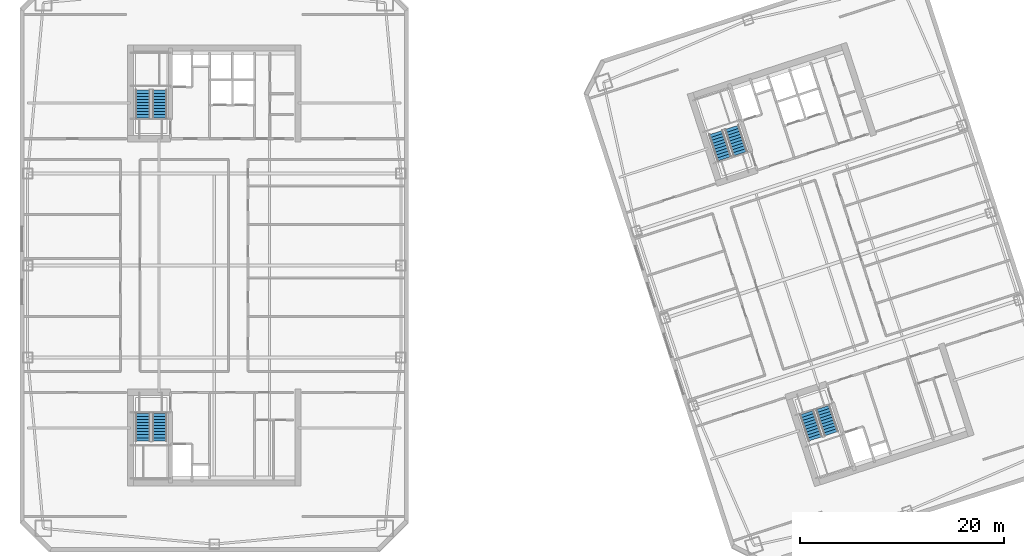
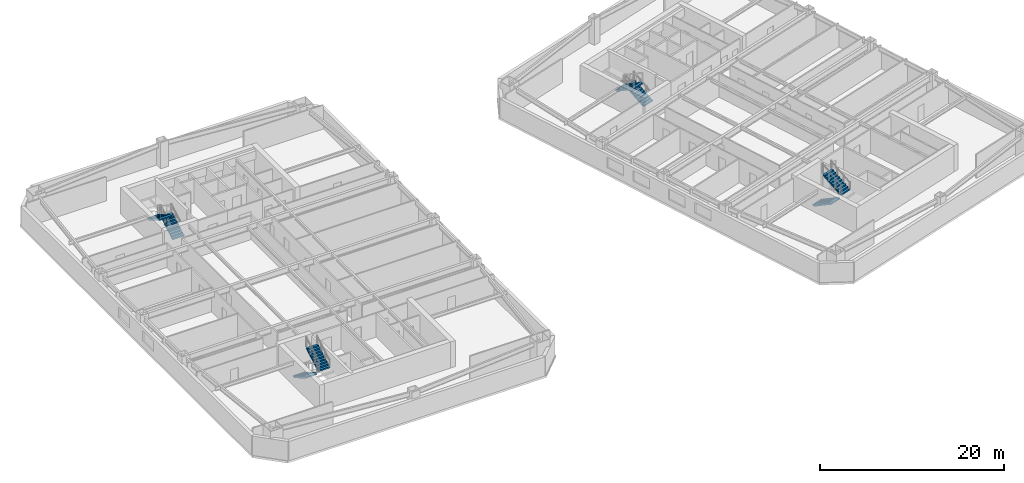
# One storey, part 9 of 11: 8 stair flights, 4 elements without a shape of their own.
"""IFC4 building model written with IfcOpenShell, lengths in metres."""

from ifc_helpers import new_model, si_unit, direction, frame, origin, place, context, subcontext, project, spatial, polyline, outline, extrude, material, type_object, element, aggregate, save


model = new_model("IFC4")

# Units and contexts
model_context = context("Model", 3, precision=1e-05, world=origin(), true_north=direction((0.0, 1.0)))
body_context = subcontext(model_context, "Body", "Model", "MODEL_VIEW")
ifc_project = project(units=[si_unit("LENGTHUNIT", "METRE"), si_unit("AREAUNIT", "SQUARE_METRE"), si_unit("VOLUMEUNIT", "CUBIC_METRE"), si_unit("PLANEANGLEUNIT", "RADIAN"), si_unit("MASSUNIT", "GRAM", prefix="KILO")], contexts=[model_context])

# Site, building, storey
site_placement = place(None, origin())
site = spatial("IfcSite", under=ifc_project, at=site_placement, CompositionType="ELEMENT")
building_placement = place(site_placement, origin())
building = spatial("IfcBuilding", under=site, at=building_placement, Name="Qiaolan Cultural Towers", CompositionType="ELEMENT")
storey_placement = place(building_placement, frame((0.0, 0.0, 96.60009765625)))
storey = spatial("IfcBuildingStorey", under=building, at=storey_placement, Name="L24", CompositionType="ELEMENT", Elevation=96.60009765625)

# Stair, stair flights
ifc_material_1 = material(Name="Concrete C45", Category="concrete")
stair_type = type_object("IfcStairType", Name="STR-CORE-1500", PredefinedType="HALF_TURN_STAIR", material=ifc_material_1)
stair_1_placement = place(storey_placement, origin())
stair_1 = element("IfcStair", 1, at=stair_1_placement, inside=storey, type_object=stair_type, Name="L24 Smokeproof Exit Stair ST-W1", PredefinedType="HALF_TURN_STAIR")
ifc_material_2 = material(Name="Concrete C45", Category="concrete")
stair_flight_type = type_object("IfcStairFlightType", Name="STR-CORE-1500-FL", PredefinedType="STRAIGHT", material=ifc_material_2)
stair_flight_1_placement = place(storey_placement, frame((23.02001953125, 19.550048828125, 0.0), z_axis=(0.0, 0.0, 1.0), x_axis=(0.0, -1.0, 0.0)))
stair_flight_1 = element("IfcStairFlight", 2, at=stair_flight_1_placement, type_object=stair_flight_type, Name="ST-W1 flight 1", NumberOfRisers=10, NumberOfTreads=9, PredefinedType="STRAIGHT", RiserHeight=0.1725, TreadLength=0.3, context=body_context, shape_type="SweptSolid", body=[
    extrude(outline(polyline([(0.0, 0.0), (0.0, 0.172607421875), (0.300048828125, 0.172607421875), (0.300048828125, 0.344970703125), (0.60009765625, 0.344970703125), (0.60009765625, 0.517578125), (0.89990234375, 0.517578125), (0.89990234375, 0.68994140625), (1.199951171875, 0.68994140625), (1.199951171875, 0.862548828125), (1.5, 0.862548828125), (1.5, 1.034912109375), (1.800048828125, 1.034912109375), (1.800048828125, 1.20751953125), (2.10009765625, 1.20751953125), (2.10009765625, 1.3798828125), (2.39990234375, 1.3798828125), (2.39990234375, 1.552490234375), (2.699951171875, 1.552490234375), (2.699951171875, 1.72509765625), (2.699951171875, 1.379638671875), (0.30078125, 0.0), (0.0, 0.0)])), frame((0.0, 0.719970703125, 0.0), z_axis=(0.0, -1.0, 0.0), x_axis=(1.0, 0.0, 0.0)), (0.0, 0.0, 1.0), 1.43994140625),
])
stair_flight_2_placement = place(storey_placement, frame((24.659912109375, 16.85009765625, 1.724853515625), z_axis=(0.0, 0.0, 1.0), x_axis=(0.0, 1.0, 0.0)))
stair_flight_2 = element("IfcStairFlight", 3, at=stair_flight_2_placement, type_object=stair_flight_type, Name="ST-W1 flight 2", NumberOfRisers=10, NumberOfTreads=9, PredefinedType="STRAIGHT", RiserHeight=0.1725, TreadLength=0.3, context=body_context, shape_type="SweptSolid", body=[
    extrude(outline(polyline([(0.0, 0.0), (0.0, 0.172607421875), (0.300048828125, 0.172607421875), (0.300048828125, 0.344970703125), (0.60009765625, 0.344970703125), (0.60009765625, 0.517578125), (0.89990234375, 0.517578125), (0.89990234375, 0.68994140625), (1.199951171875, 0.68994140625), (1.199951171875, 0.862548828125), (1.5, 0.862548828125), (1.5, 1.034912109375), (1.800048828125, 1.034912109375), (1.800048828125, 1.20751953125), (2.10009765625, 1.20751953125), (2.10009765625, 1.3798828125), (2.39990234375, 1.3798828125), (2.39990234375, 1.552490234375), (2.699951171875, 1.552490234375), (2.699951171875, 1.72509765625), (2.699951171875, 1.379638671875), (0.30078125, 0.0), (0.0, 0.0)])), frame((0.0, 0.719970703125, 0.0), z_axis=(0.0, -1.0, 0.0), x_axis=(1.0, 0.0, 0.0)), (0.0, 0.0, 1.0), 1.43994140625),
])
aggregate(stair_1, [stair_flight_1, stair_flight_2])

stair_2_placement = place(storey_placement, origin())
stair_2 = element("IfcStair", 4, at=stair_2_placement, inside=storey, type_object=stair_type, Name="L24 Smokeproof Exit Stair ST-W2", PredefinedType="HALF_TURN_STAIR")
stair_flight_3_placement = place(storey_placement, frame((24.659912109375, 48.449951171875, 0.0), z_axis=(0.0, 0.0, 1.0), x_axis=(0.0, 1.0, 0.0)))
stair_flight_3 = element("IfcStairFlight", 5, at=stair_flight_3_placement, type_object=stair_flight_type, Name="ST-W2 flight 1", NumberOfRisers=10, NumberOfTreads=9, PredefinedType="STRAIGHT", RiserHeight=0.1725, TreadLength=0.3, context=body_context, shape_type="SweptSolid", body=[
    extrude(outline(polyline([(0.0, 0.0), (0.0, 0.172607421875), (0.300048828125, 0.172607421875), (0.300048828125, 0.344970703125), (0.60009765625, 0.344970703125), (0.60009765625, 0.517578125), (0.89990234375, 0.517578125), (0.89990234375, 0.68994140625), (1.199951171875, 0.68994140625), (1.199951171875, 0.862548828125), (1.5, 0.862548828125), (1.5, 1.034912109375), (1.800048828125, 1.034912109375), (1.800048828125, 1.20751953125), (2.10009765625, 1.20751953125), (2.10009765625, 1.3798828125), (2.39990234375, 1.3798828125), (2.39990234375, 1.552490234375), (2.699951171875, 1.552490234375), (2.699951171875, 1.72509765625), (2.699951171875, 1.379638671875), (0.30078125, 0.0), (0.0, 0.0)])), frame((0.0, 0.719970703125, 0.0), z_axis=(0.0, -1.0, 0.0), x_axis=(1.0, 0.0, 0.0)), (0.0, 0.0, 1.0), 1.43994140625),
])
stair_flight_4_placement = place(storey_placement, frame((23.02001953125, 51.14990234375, 1.724853515625), z_axis=(0.0, 0.0, 1.0), x_axis=(0.0, -1.0, 0.0)))
stair_flight_4 = element("IfcStairFlight", 6, at=stair_flight_4_placement, type_object=stair_flight_type, Name="ST-W2 flight 2", NumberOfRisers=10, NumberOfTreads=9, PredefinedType="STRAIGHT", RiserHeight=0.1725, TreadLength=0.3, context=body_context, shape_type="SweptSolid", body=[
    extrude(outline(polyline([(0.0, 0.0), (0.0, 0.172607421875), (0.300048828125, 0.172607421875), (0.300048828125, 0.344970703125), (0.60009765625, 0.344970703125), (0.60009765625, 0.517578125), (0.89990234375, 0.517578125), (0.89990234375, 0.68994140625), (1.199951171875, 0.68994140625), (1.199951171875, 0.862548828125), (1.5, 0.862548828125), (1.5, 1.034912109375), (1.800048828125, 1.034912109375), (1.800048828125, 1.20751953125), (2.10009765625, 1.20751953125), (2.10009765625, 1.3798828125), (2.39990234375, 1.3798828125), (2.39990234375, 1.552490234375), (2.699951171875, 1.552490234375), (2.699951171875, 1.72509765625), (2.699951171875, 1.379638671875), (0.30078125, 0.0), (0.0, 0.0)])), frame((0.0, 0.719970703125, 0.0), z_axis=(0.0, -1.0, 0.0), x_axis=(1.0, 0.0, 0.0)), (0.0, 0.0, 1.0), 1.43994140625),
])
aggregate(stair_2, [stair_flight_3, stair_flight_4])

stair_3_placement = place(storey_placement, origin())
stair_3 = element("IfcStair", 7, at=stair_3_placement, inside=storey, type_object=stair_type, Name="L24 Smokeproof Exit Stair ST-E1", PredefinedType="HALF_TURN_STAIR")
stair_flight_5_placement = place(storey_placement, frame((87.96484375, 19.6171875, 0.0), z_axis=(0.0, 0.0, 1.0), x_axis=(0.309016994375, -0.951056516295, 0.0)))
stair_flight_5 = element("IfcStairFlight", 8, at=stair_flight_5_placement, type_object=stair_flight_type, Name="ST-E1 flight 1", NumberOfRisers=10, NumberOfTreads=9, PredefinedType="STRAIGHT", RiserHeight=0.1725, TreadLength=0.3, context=body_context, shape_type="SweptSolid", body=[
    extrude(outline(polyline([(0.0, 0.0), (0.0, 0.172607421875), (0.300048828125, 0.172607421875), (0.300048828125, 0.344970703125), (0.60009765625, 0.344970703125), (0.60009765625, 0.517578125), (0.89990234375, 0.517578125), (0.89990234375, 0.68994140625), (1.199951171875, 0.68994140625), (1.199951171875, 0.862548828125), (1.5, 0.862548828125), (1.5, 1.034912109375), (1.800048828125, 1.034912109375), (1.800048828125, 1.20751953125), (2.10009765625, 1.20751953125), (2.10009765625, 1.3798828125), (2.39990234375, 1.3798828125), (2.39990234375, 1.552490234375), (2.699951171875, 1.552490234375), (2.699951171875, 1.72509765625), (2.699951171875, 1.379638671875), (0.30078125, 0.0), (0.0, 0.0)])), frame((0.0, 0.719970703125, 0.0), z_axis=(0.0, -1.0, 0.0), x_axis=(1.0, 0.0, 0.0)), (0.0, 0.0, 1.0), 1.43994140625),
])
stair_flight_6_placement = place(storey_placement, frame((90.359130859375, 17.55615234375, 1.724853515625), z_axis=(0.0, 0.0, 1.0), x_axis=(-0.309016994375, 0.951056516295, 0.0)))
stair_flight_6 = element("IfcStairFlight", 9, at=stair_flight_6_placement, type_object=stair_flight_type, Name="ST-E1 flight 2", NumberOfRisers=10, NumberOfTreads=9, PredefinedType="STRAIGHT", RiserHeight=0.1725, TreadLength=0.3, context=body_context, shape_type="SweptSolid", body=[
    extrude(outline(polyline([(0.0, 0.0), (0.0, 0.172607421875), (0.300048828125, 0.172607421875), (0.300048828125, 0.344970703125), (0.60009765625, 0.344970703125), (0.60009765625, 0.517578125), (0.89990234375, 0.517578125), (0.89990234375, 0.68994140625), (1.199951171875, 0.68994140625), (1.199951171875, 0.862548828125), (1.5, 0.862548828125), (1.5, 1.034912109375), (1.800048828125, 1.034912109375), (1.800048828125, 1.20751953125), (2.10009765625, 1.20751953125), (2.10009765625, 1.3798828125), (2.39990234375, 1.3798828125), (2.39990234375, 1.552490234375), (2.699951171875, 1.552490234375), (2.699951171875, 1.72509765625), (2.699951171875, 1.379638671875), (0.30078125, 0.0), (0.0, 0.0)])), frame((0.0, 0.719970703125, 0.0), z_axis=(0.0, -1.0, 0.0), x_axis=(1.0, 0.0, 0.0)), (0.0, 0.0, 1.0), 1.43994140625),
])
aggregate(stair_3, [stair_flight_5, stair_flight_6])

stair_4_placement = place(storey_placement, origin())
stair_4 = element("IfcStair", 10, at=stair_4_placement, inside=storey, type_object=stair_type, Name="L24 Smokeproof Exit Stair ST-E2", PredefinedType="HALF_TURN_STAIR")
stair_flight_7_placement = place(storey_placement, frame((81.459228515625, 44.946533203125, 0.0), z_axis=(0.0, 0.0, 1.0), x_axis=(-0.309016994375, 0.951056516295, 0.0)))
stair_flight_7 = element("IfcStairFlight", 11, at=stair_flight_7_placement, type_object=stair_flight_type, Name="ST-E2 flight 1", NumberOfRisers=10, NumberOfTreads=9, PredefinedType="STRAIGHT", RiserHeight=0.1725, TreadLength=0.3, context=body_context, shape_type="SweptSolid", body=[
    extrude(outline(polyline([(0.0, 0.0), (0.0, 0.172607421875), (0.300048828125, 0.172607421875), (0.300048828125, 0.344970703125), (0.60009765625, 0.344970703125), (0.60009765625, 0.517578125), (0.89990234375, 0.517578125), (0.89990234375, 0.68994140625), (1.199951171875, 0.68994140625), (1.199951171875, 0.862548828125), (1.5, 0.862548828125), (1.5, 1.034912109375), (1.800048828125, 1.034912109375), (1.800048828125, 1.20751953125), (2.10009765625, 1.20751953125), (2.10009765625, 1.3798828125), (2.39990234375, 1.3798828125), (2.39990234375, 1.552490234375), (2.699951171875, 1.552490234375), (2.699951171875, 1.72509765625), (2.699951171875, 1.379638671875), (0.30078125, 0.0), (0.0, 0.0)])), frame((0.0, 0.719970703125, 0.0), z_axis=(0.0, -1.0, 0.0), x_axis=(1.0, 0.0, 0.0)), (0.0, 0.0, 1.0), 1.43994140625),
])
stair_flight_8_placement = place(storey_placement, frame((79.065185546875, 47.007568359375, 1.724853515625), z_axis=(0.0, 0.0, 1.0), x_axis=(0.309016994375, -0.951056516295, 0.0)))
stair_flight_8 = element("IfcStairFlight", 12, at=stair_flight_8_placement, type_object=stair_flight_type, Name="ST-E2 flight 2", NumberOfRisers=10, NumberOfTreads=9, PredefinedType="STRAIGHT", RiserHeight=0.1725, TreadLength=0.3, context=body_context, shape_type="SweptSolid", body=[
    extrude(outline(polyline([(0.0, 0.0), (0.0, 0.172607421875), (0.300048828125, 0.172607421875), (0.300048828125, 0.344970703125), (0.60009765625, 0.344970703125), (0.60009765625, 0.517578125), (0.89990234375, 0.517578125), (0.89990234375, 0.68994140625), (1.199951171875, 0.68994140625), (1.199951171875, 0.862548828125), (1.5, 0.862548828125), (1.5, 1.034912109375), (1.800048828125, 1.034912109375), (1.800048828125, 1.20751953125), (2.10009765625, 1.20751953125), (2.10009765625, 1.3798828125), (2.39990234375, 1.3798828125), (2.39990234375, 1.552490234375), (2.699951171875, 1.552490234375), (2.699951171875, 1.72509765625), (2.699951171875, 1.379638671875), (0.30078125, 0.0), (0.0, 0.0)])), frame((0.0, 0.719970703125, 0.0), z_axis=(0.0, -1.0, 0.0), x_axis=(1.0, 0.0, 0.0)), (0.0, 0.0, 1.0), 1.43994140625),
])
aggregate(stair_4, [stair_flight_7, stair_flight_8])

save(model, "model.ifc")
